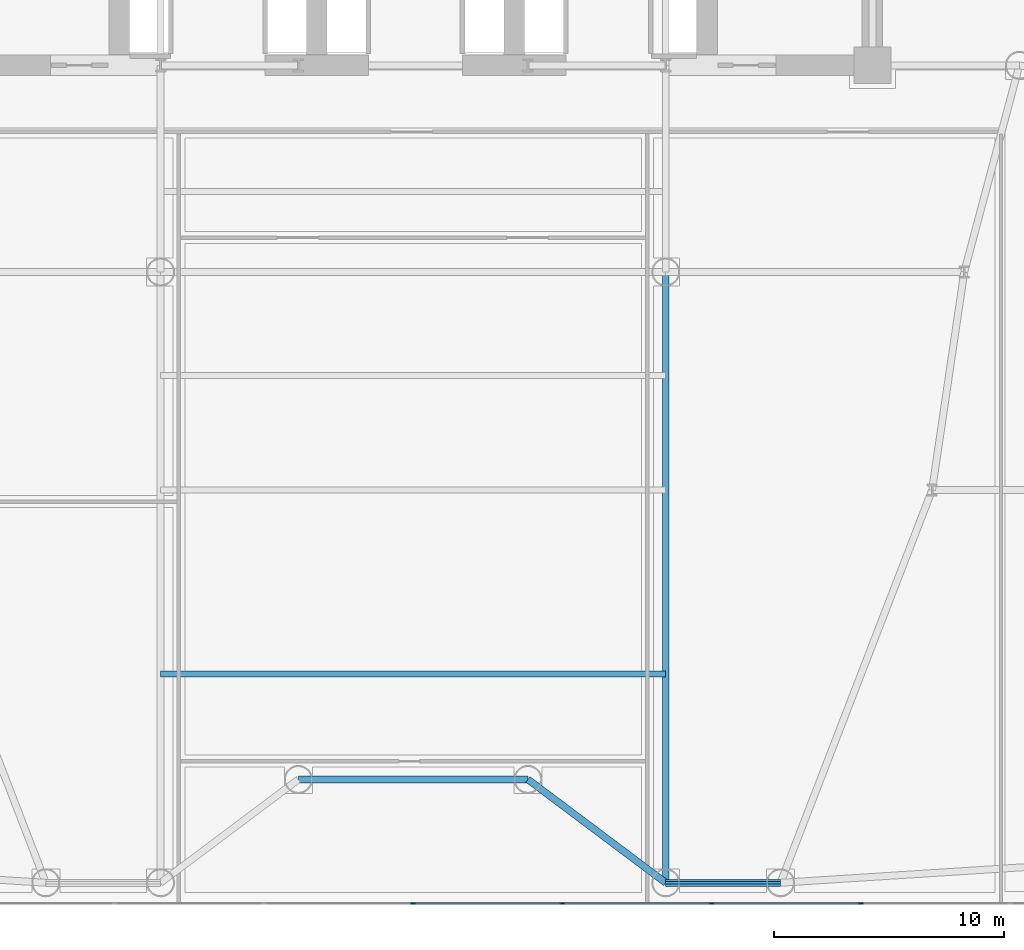
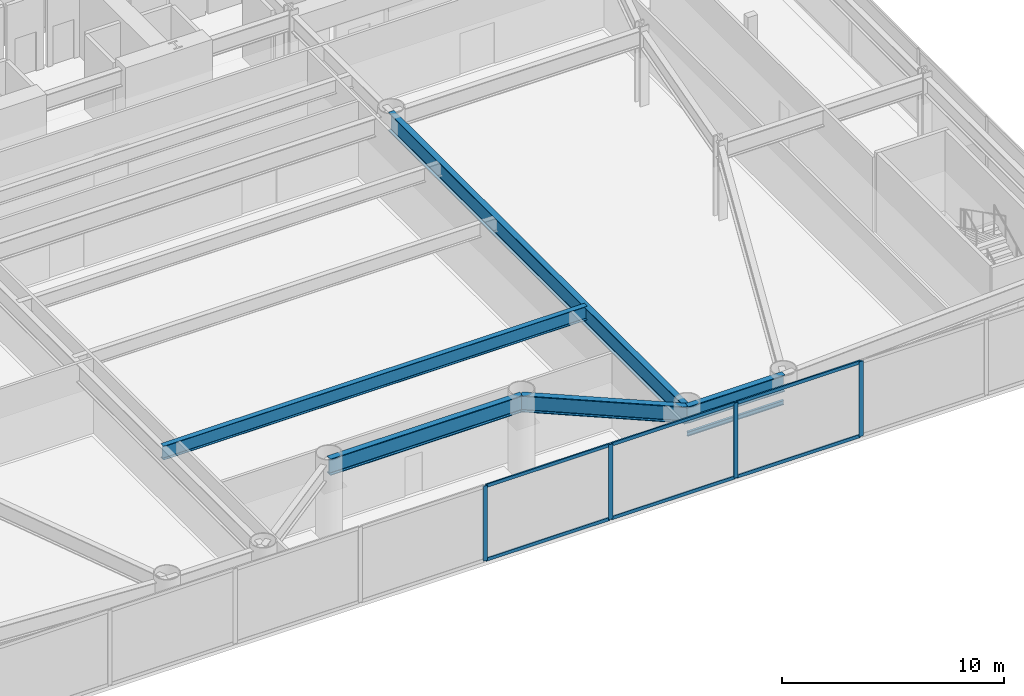
# One storey, part 4 of 24: 10 members, 6 beams, 1 element without a shape of its own.
"""IFC4 building model written with IfcOpenShell, lengths in metres."""

from ifc_helpers import new_model, si_unit, direction, frame, origin, origin_2d, place, context, subcontext, project, spatial, rectangle, i_section, extrude, source, transform, mapped, material, layer, layer_set, material_profile, profile_set, type_object, element, aggregate, save


model = new_model("IFC4")

# Units and contexts
model_context = context("Model", 3, precision=1e-05, world=origin(), true_north=direction((0.0, 1.0)))
body_context = subcontext(model_context, "Body", "Model", "MODEL_VIEW")
ifc_project = project(units=[si_unit("LENGTHUNIT", "METRE"), si_unit("AREAUNIT", "SQUARE_METRE"), si_unit("VOLUMEUNIT", "CUBIC_METRE"), si_unit("PLANEANGLEUNIT", "RADIAN"), si_unit("MASSUNIT", "GRAM", prefix="KILO")], contexts=[model_context])

# Site, building, storey
site_placement = place(None, origin())
site = spatial("IfcSite", under=ifc_project, at=site_placement, CompositionType="ELEMENT")
building_placement = place(site_placement, origin())
building = spatial("IfcBuilding", under=site, at=building_placement, Name="Vaeldorn Concourse Tower", CompositionType="ELEMENT")
storey_placement = place(building_placement, frame((0.0, 0.0, 10.0)))
storey = spatial("IfcBuildingStorey", under=building, at=storey_placement, Name="L02", CompositionType="ELEMENT", Elevation=10.0)

# Beams
ifc_material_1 = material(Name="Steel S355", Category="steel")
ifc_material_profile_1 = material_profile(ifc_material_1, i_section(OverallWidth=0.302001953125, OverallDepth=0.909912109375, WebThickness=0.02099609375, FlangeThickness=0.0400390625, FilletRadius=0.030029296875, at=origin_2d()), Name="HEM 900")
ifc_profile_set_1 = profile_set([ifc_material_profile_1], Name="Steel S355")
beam_type_1 = type_object("IfcBeamType", Name="BM-PG-HEM900", PredefinedType="BEAM", material=ifc_profile_set_1)
shared_shape_1 = source(origin(), body_context, "Body", "SweptSolid", [
    extrude(i_section(OverallWidth=0.302001953125, OverallDepth=0.909912109375, WebThickness=0.02099609375, FlangeThickness=0.0400390625, FilletRadius=0.030029296875, at=origin_2d()), origin(), (0.0, 0.0, 1.0), 10.0),
])
beam_1_placement = place(storey_placement, frame((29.0, 5.39990234375, 3.6650390625), z_axis=(1.0, 0.0, 0.0), x_axis=(0.0, 1.0, 0.0)))
element("IfcBeam", 1, at=beam_1_placement, inside=storey, type_object=beam_type_1, Name="Beam BM-L02-C-SM3-C-SM4", PredefinedType="BEAM", context=body_context, shape_type="MappedRepresentation", body=[
    mapped(shared_shape_1, transform((0.0, 0.0, 0.0), scale=1.0)),
])
shared_shape_2 = source(origin(), body_context, "Body", "SweptSolid", [
    extrude(i_section(OverallWidth=0.302001953125, OverallDepth=0.909912109375, WebThickness=0.02099609375, FlangeThickness=0.0400390625, FilletRadius=0.030029296875, at=origin_2d()), origin(), (0.0, 0.0, 1.0), 5.0),
])
beam_2_placement = place(storey_placement, frame((45.0, 0.89990234375, 3.6650390625), z_axis=(1.0, 0.0, 0.0), x_axis=(0.0, 1.0, 0.0)))
element("IfcBeam", 2, at=beam_2_placement, inside=storey, type_object=beam_type_1, Name="Beam BM-L02-C-SM5-C-SM6", PredefinedType="BEAM", context=body_context, shape_type="MappedRepresentation", body=[
    mapped(shared_shape_2, transform((0.0, 0.0, 0.0), scale=1.0)),
])
shared_shape_3 = source(origin(), body_context, "Body", "SweptSolid", [
    extrude(i_section(OverallWidth=0.302001953125, OverallDepth=0.909912109375, WebThickness=0.02099609375, FlangeThickness=0.0400390625, FilletRadius=0.030029296875, at=origin_2d()), origin(), (0.0, 0.0, 1.0), 7.5),
])
beam_3_placement = place(storey_placement, frame((39.0, 5.39990234375, 3.6650390625), z_axis=(0.8, -0.6, 0.0), x_axis=(0.6, 0.8, 0.0)))
element("IfcBeam", 3, at=beam_3_placement, inside=storey, type_object=beam_type_1, Name="Beam BM-L02-C-SM4-C-SM5", PredefinedType="BEAM", context=body_context, shape_type="MappedRepresentation", body=[
    mapped(shared_shape_3, transform((0.0, 0.0, 0.0), scale=1.0)),
])
ifc_material_2 = material(Name="Steel S460", Category="steel")
ifc_material_profile_2 = material_profile(ifc_material_2, i_section(OverallWidth=0.302001953125, OverallDepth=1.008056640625, WebThickness=0.02099609375, FlangeThickness=0.0400390625, FilletRadius=0.030029296875, at=origin_2d()), Name="HEM 1000")
ifc_profile_set_2 = profile_set([ifc_material_profile_2], Name="Steel S460")
beam_type_2 = type_object("IfcBeamType", Name="BM-TG-HEM1000", PredefinedType="BEAM", material=ifc_profile_set_2)
shared_shape_4 = source(origin(), body_context, "Body", "SweptSolid", [
    extrude(i_section(OverallWidth=0.302001953125, OverallDepth=1.008056640625, WebThickness=0.02099609375, FlangeThickness=0.0400390625, FilletRadius=0.030029296875, at=origin_2d()), origin(), (0.0, 0.0, 1.0), 26.60009765625),
])
beam_4_placement = place(storey_placement, frame((45.0, 0.89990234375, 3.615966796875), z_axis=(0.0, 1.0, 0.0), x_axis=(-1.0, 0.0, 0.0)))
element("IfcBeam", 4, at=beam_4_placement, inside=storey, type_object=beam_type_2, Name="Beam BM-L02-C-SM5-C-TW4", PredefinedType="BEAM", context=body_context, shape_type="MappedRepresentation", body=[
    mapped(shared_shape_4, transform((0.0, 0.0, 0.0), scale=1.0)),
])
ifc_material_profile_3 = material_profile(ifc_material_1, i_section(OverallWidth=0.26708984375, OverallDepth=0.761962890625, WebThickness=0.014404296875, FlangeThickness=0.021484375, FilletRadius=0.01708984375, at=origin_2d()), Name="IPE 750x173")
ifc_profile_set_3 = profile_set([ifc_material_profile_3], Name="Steel S355")
beam_type_3 = type_object("IfcBeamType", Name="BM-JS-IPE750", PredefinedType="JOIST", material=ifc_profile_set_3)
shared_shape_5 = source(origin(), body_context, "Body", "SweptSolid", [
    extrude(i_section(OverallWidth=0.26708984375, OverallDepth=0.761962890625, WebThickness=0.014404296875, FlangeThickness=0.021484375, FilletRadius=0.01708984375, at=origin_2d()), origin(), (0.0, 0.0, 1.0), 22.0),
])
beam_5_placement = place(storey_placement, frame((23.0, 10.0, 3.739013671875), z_axis=(1.0, 0.0, 0.0), x_axis=(0.0, 1.0, 0.0)))
element("IfcBeam", 5, at=beam_5_placement, inside=storey, type_object=beam_type_3, Name="Beam JS-L02-C-10", PredefinedType="JOIST", context=body_context, shape_type="MappedRepresentation", body=[
    mapped(shared_shape_5, transform((0.0, 0.0, 0.0), scale=1.0)),
])
ifc_material_profile_4 = material_profile(ifc_material_1, i_section(OverallWidth=0.1201171875, OverallDepth=0.239990234375, WebThickness=0.006103515625, FlangeThickness=0.009765625, FilletRadius=0.014892578125, at=origin_2d()), Name="IPE 240")
ifc_profile_set_4 = profile_set([ifc_material_profile_4], Name="Steel S355")
beam_type_4 = type_object("IfcBeamType", Name="BM-LN-IPE240", PredefinedType="LINTEL", material=ifc_profile_set_4)
shared_shape_6 = source(origin(), body_context, "Body", "SweptSolid", [
    extrude(i_section(OverallWidth=0.1201171875, OverallDepth=0.239990234375, WebThickness=0.006103515625, FlangeThickness=0.009765625, FilletRadius=0.014892578125, at=origin_2d()), origin(), (0.0, 0.0, 1.0), 5.0),
])
beam_6_placement = place(storey_placement, frame((45.0, 0.89990234375, 2.550048828125), z_axis=(1.0, 0.0, 0.0), x_axis=(0.0, 1.0, 0.0)))
element("IfcBeam", 6, at=beam_6_placement, inside=storey, type_object=beam_type_4, Name="Podium Concourse Transom Lintel L02-2", PredefinedType="LINTEL", context=body_context, shape_type="MappedRepresentation", body=[
    mapped(shared_shape_6, transform((0.0, 0.0, 0.0), scale=1.0)),
])

# Curtain wall, members
ifc_material_3 = material(Name="Anodised Bronze Aluminium", Category="aluminium")
ifc_layer = layer(ifc_material_3, 0.239990234375)
ifc_layer_set = layer_set([ifc_layer], Name="Anodised Bronze Aluminium")
curtain_wall_type = type_object("IfcCurtainWallType", Name="CW-SYS-04", PredefinedType="NOTDEFINED", material=ifc_layer_set)
curtain_wall_placement = place(storey_placement, origin())
curtain_wall = element("IfcCurtainWall", 7, at=curtain_wall_placement, inside=storey, type_object=curtain_wall_type, Name="Unitised Curtain Wall CW-L02-E01-1", PredefinedType="NOTDEFINED")
ifc_material_profile_5 = material_profile(ifc_material_3, rectangle(XDim=0.074951171875, YDim=0.179931640625, at=origin_2d()), Name="CWT 75x180")
ifc_profile_set_5 = profile_set([ifc_material_profile_5], Name="Anodised Bronze Aluminium")
member_type_1 = type_object("IfcMemberType", Name="CWT-BRONZE-180", PredefinedType="USERDEFINED", material=ifc_profile_set_5)
shared_shape_7 = source(origin(), body_context, "Body", "SweptSolid", [
    extrude(rectangle(XDim=0.074951171875, YDim=0.179931640625, at=origin_2d()), origin(), (0.0, 0.0, 1.0), 6.4248046875),
])
member_1_placement = place(storey_placement, frame((34.03759765625, 0.0, 0.03759765625), z_axis=(1.0, 0.0, 0.0), x_axis=(0.0, 1.0, 0.0)))
member_1 = element("IfcMember", 8, at=member_1_placement, type_object=member_type_1, Name="CW-04 transom 6.1", ObjectType="TRANSOM", PredefinedType="USERDEFINED", context=body_context, shape_type="MappedRepresentation", body=[
    mapped(shared_shape_7, transform((0.0, 0.0, 0.0), scale=1.0)),
])
member_2_placement = place(storey_placement, frame((34.03759765625, 0.0, 4.08251953125), z_axis=(1.0, 0.0, 0.0), x_axis=(0.0, 1.0, 0.0)))
member_2 = element("IfcMember", 9, at=member_2_placement, type_object=member_type_1, Name="CW-04 transom 6.2", ObjectType="TRANSOM", PredefinedType="USERDEFINED", context=body_context, shape_type="MappedRepresentation", body=[
    mapped(shared_shape_7, transform((0.0, 0.0, 0.0), scale=1.0)),
])
member_3_placement = place(storey_placement, frame((40.53759765625, 0.0, 0.03759765625), z_axis=(1.0, 0.0, 0.0), x_axis=(0.0, 1.0, 0.0)))
member_3 = element("IfcMember", 10, at=member_3_placement, type_object=member_type_1, Name="CW-04 transom 7.1", ObjectType="TRANSOM", PredefinedType="USERDEFINED", context=body_context, shape_type="MappedRepresentation", body=[
    mapped(shared_shape_7, transform((0.0, 0.0, 0.0), scale=1.0)),
])
member_4_placement = place(storey_placement, frame((40.53759765625, 0.0, 4.08251953125), z_axis=(1.0, 0.0, 0.0), x_axis=(0.0, 1.0, 0.0)))
member_4 = element("IfcMember", 11, at=member_4_placement, type_object=member_type_1, Name="CW-04 transom 7.2", ObjectType="TRANSOM", PredefinedType="USERDEFINED", context=body_context, shape_type="MappedRepresentation", body=[
    mapped(shared_shape_7, transform((0.0, 0.0, 0.0), scale=1.0)),
])
member_5_placement = place(storey_placement, frame((47.03759765625, 0.0, 0.03759765625), z_axis=(1.0, 0.0, 0.0), x_axis=(0.0, 1.0, 0.0)))
member_5 = element("IfcMember", 12, at=member_5_placement, type_object=member_type_1, Name="CW-04 transom 8.1", ObjectType="TRANSOM", PredefinedType="USERDEFINED", context=body_context, shape_type="MappedRepresentation", body=[
    mapped(shared_shape_7, transform((0.0, 0.0, 0.0), scale=1.0)),
])
member_6_placement = place(storey_placement, frame((47.03759765625, 0.0, 4.08251953125), z_axis=(1.0, 0.0, 0.0), x_axis=(0.0, 1.0, 0.0)))
member_6 = element("IfcMember", 13, at=member_6_placement, type_object=member_type_1, Name="CW-04 transom 8.2", ObjectType="TRANSOM", PredefinedType="USERDEFINED", context=body_context, shape_type="MappedRepresentation", body=[
    mapped(shared_shape_7, transform((0.0, 0.0, 0.0), scale=1.0)),
])
ifc_material_profile_6 = material_profile(ifc_material_3, rectangle(XDim=0.074951171875, YDim=0.219970703125, at=origin_2d()), Name="CWM 75x220")
ifc_profile_set_6 = profile_set([ifc_material_profile_6], Name="Anodised Bronze Aluminium")
member_type_2 = type_object("IfcMemberType", Name="CWM-BRONZE-220", PredefinedType="MULLION", material=ifc_profile_set_6)
shared_shape_8 = source(origin(), body_context, "Body", "SweptSolid", [
    extrude(rectangle(XDim=0.074951171875, YDim=0.219970703125, at=origin_2d()), origin(), (0.0, 0.0, 1.0), 4.1201171875),
])
member_7_placement = place(storey_placement, frame((34.0, 0.0, 0.0), z_axis=(0.0, 0.0, 1.0), x_axis=(0.0, 1.0, 0.0)))
member_7 = element("IfcMember", 14, at=member_7_placement, type_object=member_type_2, Name="CW-04 mullion 6", PredefinedType="MULLION", context=body_context, shape_type="MappedRepresentation", body=[
    mapped(shared_shape_8, transform((0.0, 0.0, 0.0), scale=1.0)),
])
member_8_placement = place(storey_placement, frame((40.5, 0.0, 0.0), z_axis=(0.0, 0.0, 1.0), x_axis=(0.0, 1.0, 0.0)))
member_8 = element("IfcMember", 15, at=member_8_placement, type_object=member_type_2, Name="CW-04 mullion 7", PredefinedType="MULLION", context=body_context, shape_type="MappedRepresentation", body=[
    mapped(shared_shape_8, transform((0.0, 0.0, 0.0), scale=1.0)),
])
member_9_placement = place(storey_placement, frame((47.0, 0.0, 0.0), z_axis=(0.0, 0.0, 1.0), x_axis=(0.0, 1.0, 0.0)))
member_9 = element("IfcMember", 16, at=member_9_placement, type_object=member_type_2, Name="CW-04 mullion 8", PredefinedType="MULLION", context=body_context, shape_type="MappedRepresentation", body=[
    mapped(shared_shape_8, transform((0.0, 0.0, 0.0), scale=1.0)),
])
member_10_placement = place(storey_placement, frame((53.5, 0.0, 0.0), z_axis=(0.0, 0.0, 1.0), x_axis=(0.0, 1.0, 0.0)))
member_10 = element("IfcMember", 17, at=member_10_placement, type_object=member_type_2, Name="CW-04 mullion 9", PredefinedType="MULLION", context=body_context, shape_type="MappedRepresentation", body=[
    mapped(shared_shape_8, transform((0.0, 0.0, 0.0), scale=1.0)),
])
aggregate(curtain_wall, [member_7, member_8, member_9, member_10, member_1, member_2, member_3, member_4, member_5, member_6])

save(model, "model.ifc")
